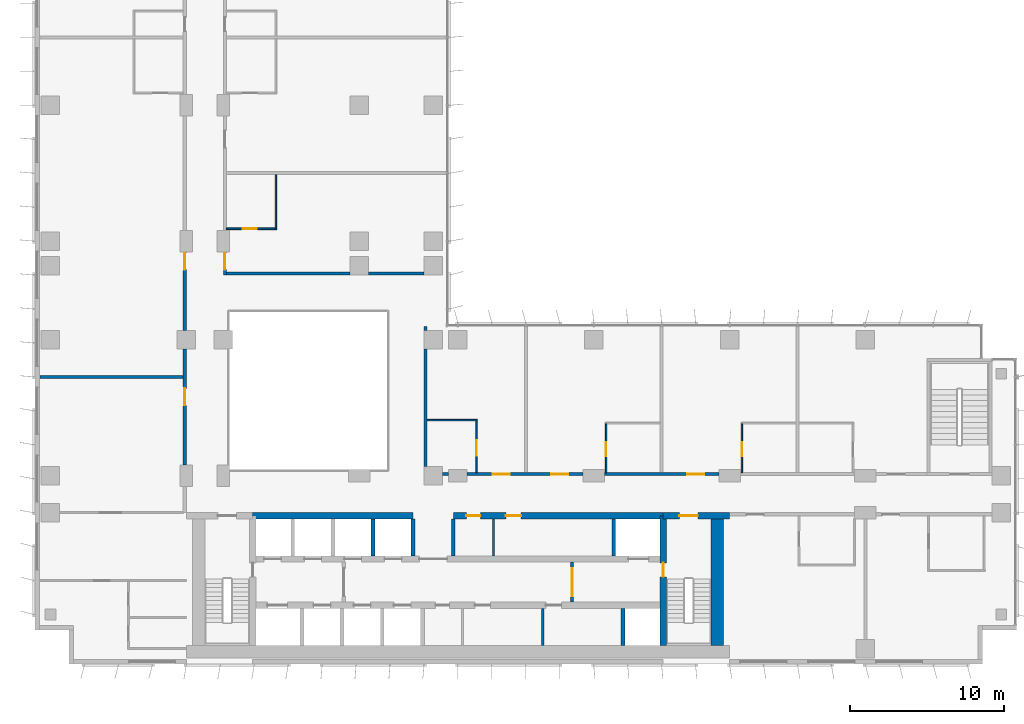
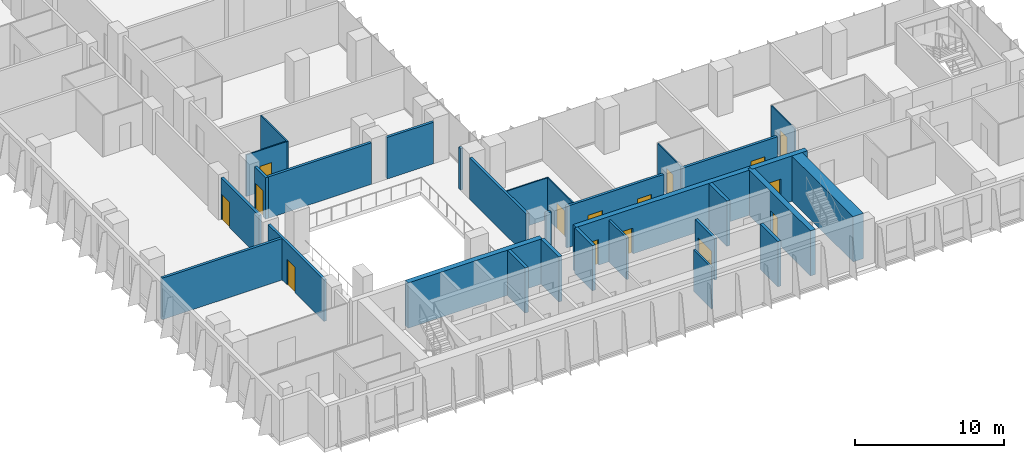
# One storey, part 13 of 22: 30 walls, 15 doors, 15 openings.
"""IFC4 building model written with IfcOpenShell, lengths in metres."""

from ifc_helpers import new_model, si_unit, direction, frame, frame_2d, origin, place, context, subcontext, project, spatial, rectangle, extrude, material, layer, layer_set, type_object, element, fill, save


model = new_model("IFC4")

# Units and contexts
model_context = context("Model", 3, precision=1e-05, world=origin(), true_north=direction((0.0, 1.0)))
body_context = subcontext(model_context, "Body", "Model", "MODEL_VIEW")
ifc_project = project(units=[si_unit("LENGTHUNIT", "METRE"), si_unit("AREAUNIT", "SQUARE_METRE"), si_unit("VOLUMEUNIT", "CUBIC_METRE"), si_unit("PLANEANGLEUNIT", "RADIAN"), si_unit("MASSUNIT", "GRAM", prefix="KILO")], contexts=[model_context])

# Site, building, storey
site_placement = place(None, origin())
site = spatial("IfcSite", under=ifc_project, at=site_placement, CompositionType="ELEMENT")
building_placement = place(site_placement, origin())
building = spatial("IfcBuilding", under=site, at=building_placement, Name="Kemantara Hotel Tower", CompositionType="ELEMENT")
storey_placement = place(building_placement, frame((0.0, 0.0, 122.199951171875)))
storey = spatial("IfcBuildingStorey", under=building, at=storey_placement, Name="L29", CompositionType="ELEMENT", Elevation=122.199951171875)

# Walls
ifc_material_1 = material(Name="Concrete fc 70 MPa", Category="concrete")
ifc_layer_1 = layer(ifc_material_1, 0.25)
ifc_layer_set_1 = layer_set([ifc_layer_1], Name="Concrete fc 70 MPa")
wall_type_1 = type_object("IfcWallType", Name="CORE WALL 250 FC70", PredefinedType="SHEAR", material=ifc_layer_set_1)
wall_1_placement = place(storey_placement, frame((38.10009765625, 1.199951171875, 0.0), z_axis=(0.0, 0.0, 1.0), x_axis=(0.0, 1.0, 0.0)))
element("IfcWall", 1, at=wall_1_placement, inside=storey, type_object=wall_type_1, Name="CORE WALL CW-DS38.1", PredefinedType="SHEAR", context=body_context, shape_type="SweptSolid", body=[
    extrude(rectangle(XDim=2.400146484375, YDim=0.25, at=frame_2d((1.2001953125, 0.0))), origin(), (0.0, 0.0, 1.0), 3.699951171875),
])
for number, where, z_axis, x_axis, name in (
    (2, (21.89990234375, 7.0, 0.0), (0.0, 0.0, 1.0), (0.0, 1.0, 0.0), "CORE WALL CW-DN21.9"),
    (3, (24.5, 7.0, 0.0), (0.0, 0.0, 1.0), (0.0, 1.0, 0.0), "CORE WALL CW-DN24.5"),
    (4, (27.10009765625, 7.0, 0.0), (0.0, 0.0, 1.0), (0.0, 1.0, 0.0), "CORE WALL CW-DN27.1"),
    (5, (37.5, 7.0, 0.0), (0.0, 0.0, 1.0), (0.0, 1.0, 0.0), "CORE WALL CW-DN37.5"),
):
    element("IfcWall", number, at=place(storey_placement, frame(where, z_axis=z_axis, x_axis=x_axis)), inside=storey, type_object=wall_type_1, Name=name, PredefinedType="SHEAR", context=body_context, shape_type="SweptSolid", body=[
        extrude(rectangle(XDim=2.39990234375, YDim=0.25, at=frame_2d((1.199951171875, 0.0))), origin(), (0.0, 0.0, 1.0), 3.699951171875),
    ])

# Wall, opening, door
ifc_layer_2 = layer(ifc_material_1, 0.39990234375)
ifc_layer_set_2 = layer_set([ifc_layer_2], Name="Concrete fc 70 MPa")
wall_type_2 = type_object("IfcWallType", Name="CORE WALL 400 FC70", PredefinedType="SHEAR", material=ifc_layer_set_2)
wall_2_placement = place(storey_placement, frame((40.699951171875, 9.60009765625, 0.0), z_axis=(0.0, 0.0, 1.0), x_axis=(1.0, 0.0, 0.0)))
wall_2 = element("IfcWall", 6, at=wall_2_placement, inside=storey, type_object=wall_type_2, Name="CORE WALL CW-N2", PredefinedType="SHEAR", context=body_context, shape_type="SweptSolid", body=[
    extrude(rectangle(XDim=4.300048828125, YDim=0.39990234375, at=frame_2d((2.14990234375, 0.0))), origin(), (0.0, 0.0, 1.0), 3.699951171875),
])
opening_1_placement = place(wall_2_placement, frame((1.050048828125, 0.0, 0.0)))
opening_1 = element("IfcOpeningElement", 7, at=opening_1_placement, cuts=wall_2, Name="Opening C20-ST2-C", PredefinedType="OPENING", context=body_context, shape_type="SweptSolid", body=[
    extrude(rectangle(XDim=1.199951171875, YDim=2.10009765625, at=frame_2d((0.60009765625, 1.050048828125))), frame((0.0, 0.2099609375, 0.0), z_axis=(0.0, -1.0, 0.0), x_axis=(1.0, 0.0, 0.0)), (0.0, 0.0, 1.0), 0.419921875),
])
ifc_material_2 = material(Name="Steel fire door", Category="steel")
door_type_1 = type_object("IfcDoorType", Name="Fire door FD90 1200 x 2100", OperationType="NOTDEFINED", PredefinedType="DOOR", material=ifc_material_2)
door_1_placement = place(opening_1_placement, frame((1.199951171875, 0.0, 0.0), z_axis=(0.0, 0.0, 1.0), x_axis=(-1.0, 0.0, 0.0)))
door_1 = element("IfcDoor", 8, at=door_1_placement, inside=storey, type_object=door_type_1, Name="Stair ST2 door to corridor", OperationType="SINGLE_SWING_RIGHT", OverallHeight=2.10009765625, OverallWidth=1.199951171875, PredefinedType="DOOR", context=body_context, shape_type="SweptSolid", body=[
    extrude(rectangle(XDim=1.199951171875, YDim=2.10009765625, at=frame_2d((0.60009765625, 1.050048828125))), frame((0.0, 0.02490234375, 0.0), z_axis=(0.0, -1.0, 0.0), x_axis=(1.0, 0.0, 0.0)), (0.0, 0.0, 1.0), 0.050048828125),
])
fill(opening_1, door_1)

# Wall
wall_3_placement = place(storey_placement, frame((14.10009765625, 9.60009765625, 0.0), z_axis=(0.0, 0.0, 1.0), x_axis=(1.0, 0.0, 0.0)))
element("IfcWall", 9, at=wall_3_placement, inside=storey, type_object=wall_type_2, Name="CORE WALL CW-NN1", PredefinedType="SHEAR", context=body_context, shape_type="SweptSolid", body=[
    extrude(rectangle(XDim=10.39990234375, YDim=0.39990234375, at=frame_2d((5.199951171875, 0.0))), origin(), (0.0, 0.0, 1.0), 3.699951171875),
])

# Wall, openings, doors
wall_4_placement = place(storey_placement, frame((27.10009765625, 9.60009765625, 0.0), z_axis=(0.0, 0.0, 1.0), x_axis=(1.0, 0.0, 0.0)))
wall_4 = element("IfcWall", 10, at=wall_4_placement, inside=storey, type_object=wall_type_2, Name="CORE WALL CW-NN2", PredefinedType="SHEAR", context=body_context, shape_type="SweptSolid", body=[
    extrude(rectangle(XDim=13.599853515625, YDim=0.39990234375, at=frame_2d((6.7998046875, 0.0))), origin(), (0.0, 0.0, 1.0), 3.699951171875),
])
opening_2_placement = place(wall_4_placement, frame((0.85009765625, 0.0, 0.0)))
opening_2 = element("IfcOpeningElement", 11, at=opening_2_placement, cuts=wall_4, Name="Opening C20-R-NE1", PredefinedType="OPENING", context=body_context, shape_type="SweptSolid", body=[
    extrude(rectangle(XDim=0.89990234375, YDim=2.10009765625, at=frame_2d((0.449951171875, 1.050048828125))), frame((0.0, 0.2099609375, 0.0), z_axis=(0.0, -1.0, 0.0), x_axis=(1.0, 0.0, 0.0)), (0.0, 0.0, 1.0), 0.419921875),
])
opening_3_placement = place(wall_4_placement, frame((3.39990234375, 0.0, 0.0)))
opening_3 = element("IfcOpeningElement", 12, at=opening_3_placement, cuts=wall_4, Name="Opening C20-R-NE2", PredefinedType="OPENING", context=body_context, shape_type="SweptSolid", body=[
    extrude(rectangle(XDim=1.0, YDim=2.10009765625, at=frame_2d((0.5, 1.050048828125))), frame((0.0, 0.2099609375, 0.0), z_axis=(0.0, -1.0, 0.0), x_axis=(1.0, 0.0, 0.0)), (0.0, 0.0, 1.0), 0.419921875),
])
door_type_2 = type_object("IfcDoorType", Name="Fire door FD30S 1000 x 2100", OperationType="NOTDEFINED", PredefinedType="DOOR", material=ifc_material_2)
door_2_placement = place(opening_3_placement, frame((1.0, 0.0, 0.0), z_axis=(0.0, 0.0, 1.0), x_axis=(-1.0, 0.0, 0.0)))
door_2 = element("IfcDoor", 13, at=door_2_placement, inside=storey, type_object=door_type_2, Name="Linen Store door", OperationType="SINGLE_SWING_RIGHT", OverallHeight=2.10009765625, OverallWidth=1.0, PredefinedType="DOOR", context=body_context, shape_type="SweptSolid", body=[
    extrude(rectangle(XDim=1.0, YDim=2.10009765625, at=frame_2d((0.5, 1.050048828125))), frame((0.0, 0.02490234375, 0.0), z_axis=(0.0, -1.0, 0.0), x_axis=(1.0, 0.0, 0.0)), (0.0, 0.0, 1.0), 0.050048828125),
])
fill(opening_3, door_2)
door_type_3 = type_object("IfcDoorType", Name="Fire door FD30S 900 x 2100", OperationType="NOTDEFINED", PredefinedType="DOOR", material=ifc_material_2)
door_3_placement = place(opening_2_placement, frame((0.89990234375, 0.0, 0.0), z_axis=(0.0, 0.0, 1.0), x_axis=(-1.0, 0.0, 0.0)))
door_3 = element("IfcDoor", 14, at=door_3_placement, inside=storey, type_object=door_type_3, Name="Staff Wc door", OperationType="SINGLE_SWING_RIGHT", OverallHeight=2.10009765625, OverallWidth=0.89990234375, PredefinedType="DOOR", context=body_context, shape_type="SweptSolid", body=[
    extrude(rectangle(XDim=0.89990234375, YDim=2.10009765625, at=frame_2d((0.449951171875, 1.050048828125))), frame((0.0, 0.02490234375, 0.0), z_axis=(0.0, -1.0, 0.0), x_axis=(1.0, 0.0, 0.0)), (0.0, 0.0, 1.0), 0.050048828125),
])
fill(opening_2, door_3)

# Wall, opening, door
wall_5_placement = place(storey_placement, frame((40.699951171875, 1.199951171875, 0.0), z_axis=(0.0, 0.0, 1.0), x_axis=(0.0, 1.0, 0.0)))
wall_5 = element("IfcWall", 15, at=wall_5_placement, inside=storey, type_object=wall_type_2, Name="CORE WALL CW-ST2W", PredefinedType="SHEAR", context=body_context, shape_type="SweptSolid", body=[
    extrude(rectangle(XDim=8.400146484375, YDim=0.39990234375, at=frame_2d((4.2001953125, 0.0))), origin(), (0.0, 0.0, 1.0), 3.699951171875),
])
opening_4_placement = place(wall_5_placement, frame((4.449951171875, 0.0, 0.0)))
opening_4 = element("IfcOpeningElement", 16, at=opening_4_placement, cuts=wall_5, Name="Opening C20-ST2-F", PredefinedType="OPENING", context=body_context, shape_type="SweptSolid", body=[
    extrude(rectangle(XDim=0.89990234375, YDim=2.10009765625, at=frame_2d((0.449951171875, 1.050048828125))), frame((0.0, 0.2099609375, 0.0), z_axis=(0.0, -1.0, 0.0), x_axis=(1.0, 0.0, 0.0)), (0.0, 0.0, 1.0), 0.419921875),
])
door_type_4 = type_object("IfcDoorType", Name="Fire door FD90 900 x 2100", OperationType="NOTDEFINED", PredefinedType="DOOR", material=ifc_material_2)
door_4_placement = place(opening_4_placement, frame((0.89990234375, 0.0, 0.0), z_axis=(0.0, 0.0, 1.0), x_axis=(-1.0, 0.0, 0.0)))
door_4 = element("IfcDoor", 17, at=door_4_placement, inside=storey, type_object=door_type_4, Name="Stair ST2 door to firefighting lobby", OperationType="SINGLE_SWING_LEFT", OverallHeight=2.10009765625, OverallWidth=0.89990234375, PredefinedType="DOOR", context=body_context, shape_type="SweptSolid", body=[
    extrude(rectangle(XDim=0.89990234375, YDim=2.10009765625, at=frame_2d((0.449951171875, 1.050048828125))), frame((0.0, 0.02490234375, 0.0), z_axis=(0.0, -1.0, 0.0), x_axis=(1.0, 0.0, 0.0)), (0.0, 0.0, 1.0), 0.050048828125),
])
fill(opening_4, door_4)

# Walls
ifc_layer_3 = layer(ifc_material_1, 0.800048828125)
ifc_layer_set_3 = layer_set([ifc_layer_3], Name="Concrete fc 70 MPa")
wall_type_3 = type_object("IfcWallType", Name="CORE WALL 800 FC70", PredefinedType="SHEAR", material=ifc_layer_set_3)
wall_6_placement = place(storey_placement, frame((44.199951171875, 1.199951171875, 0.0), z_axis=(0.0, 0.0, 1.0), x_axis=(0.0, 1.0, 0.0)))
element("IfcWall", 18, at=wall_6_placement, inside=storey, type_object=wall_type_3, Name="CORE WALL CW-E", PredefinedType="SHEAR", context=body_context, shape_type="SweptSolid", body=[
    extrude(rectangle(XDim=8.60009765625, YDim=0.800048828125, at=frame_2d((4.300048828125, 0.0))), origin(), (0.0, 0.0, 1.0), 3.699951171875),
])
ifc_material_3 = material(Name="Gypsum board partition, steel studs and mineral wool, 200 mm", Category="steel")
ifc_layer_4 = layer(ifc_material_3, 0.199951171875)
ifc_layer_set_4 = layer_set([ifc_layer_4], Name="Gypsum board partition, steel studs and mineral wool, 200 mm")
wall_type_4 = type_object("IfcWallType", Name="CORRIDOR WALL 200", PredefinedType="PARTITIONING", material=ifc_layer_set_4)
wall_7_placement = place(storey_placement, frame((26.400146484375, 12.300048828125, 0.0), z_axis=(0.0, 0.0, 1.0), x_axis=(1.0, 0.0, 0.0)))
element("IfcWall", 19, at=wall_7_placement, inside=storey, type_object=wall_type_4, Name="CORRIDOR WALL 200 004", PredefinedType="PARTITIONING", context=body_context, shape_type="SweptSolid", body=[
    extrude(rectangle(XDim=0.399658203125, YDim=0.199951171875, at=frame_2d((0.19970703125, 0.0))), origin(), (0.0, 0.0, 1.0), 3.400146484375),
])

# Wall, openings, doors
wall_8_placement = place(storey_placement, frame((28.0, 12.300048828125, 0.0), z_axis=(0.0, 0.0, 1.0), x_axis=(1.0, 0.0, 0.0)))
wall_8 = element("IfcWall", 20, at=wall_8_placement, inside=storey, type_object=wall_type_4, Name="CORRIDOR WALL 200 005", PredefinedType="PARTITIONING", context=body_context, shape_type="SweptSolid", body=[
    extrude(rectangle(XDim=7.5, YDim=0.199951171875, at=frame_2d((3.75, 0.0))), origin(), (0.0, 0.0, 1.0), 3.400146484375),
])
opening_5_placement = place(wall_8_placement, frame((1.64990234375, 0.0, 0.0)))
opening_5 = element("IfcOpeningElement", 21, at=opening_5_placement, cuts=wall_8, Name="Opening F13-005", PredefinedType="OPENING", context=body_context, shape_type="SweptSolid", body=[
    extrude(rectangle(XDim=1.10009765625, YDim=2.10009765625, at=frame_2d((0.550048828125, 1.050048828125))), frame((0.0, 0.10986328125, 0.0), z_axis=(0.0, -1.0, 0.0), x_axis=(1.0, 0.0, 0.0)), (0.0, 0.0, 1.0), 0.219970703125),
])
opening_6_placement = place(wall_8_placement, frame((5.449951171875, 0.0, 0.0)))
opening_6 = element("IfcOpeningElement", 22, at=opening_6_placement, cuts=wall_8, Name="Opening F13-007", PredefinedType="OPENING", context=body_context, shape_type="SweptSolid", body=[
    extrude(rectangle(XDim=1.10009765625, YDim=2.10009765625, at=frame_2d((0.550048828125, 1.050048828125))), frame((0.0, 0.10986328125, 0.0), z_axis=(0.0, -1.0, 0.0), x_axis=(1.0, 0.0, 0.0)), (0.0, 0.0, 1.0), 0.219970703125),
])
ifc_material_4 = material(Name="Hardwood veneer door leaf with steel frame", Category="steel")
door_type_5 = type_object("IfcDoorType", Name="GUEST ROOM DOOR 1100 X 2100 FD30S", OperationType="NOTDEFINED", PredefinedType="DOOR", material=ifc_material_4)
door_5_placement = place(opening_5_placement, origin())
door_5 = element("IfcDoor", 23, at=door_5_placement, inside=storey, type_object=door_type_5, Name="GUEST ROOM DOOR F13-005", OperationType="SINGLE_SWING_RIGHT", OverallHeight=2.10009765625, OverallWidth=1.10009765625, PredefinedType="DOOR", context=body_context, shape_type="SweptSolid", body=[
    extrude(rectangle(XDim=1.10009765625, YDim=2.10009765625, at=frame_2d((0.550048828125, 1.050048828125))), frame((0.0, 0.02490234375, 0.0), z_axis=(0.0, -1.0, 0.0), x_axis=(1.0, 0.0, 0.0)), (0.0, 0.0, 1.0), 0.050048828125),
])
fill(opening_5, door_5)
door_type_6 = type_object("IfcDoorType", Name="SUITE ENTRANCE DOOR 1100 X 2100 FD30S", OperationType="NOTDEFINED", PredefinedType="DOOR", material=ifc_material_4)
door_6_placement = place(opening_6_placement, origin())
door_6 = element("IfcDoor", 24, at=door_6_placement, inside=storey, type_object=door_type_6, Name="SUITE ENTRANCE DOOR F13-007", OperationType="SINGLE_SWING_LEFT", OverallHeight=2.10009765625, OverallWidth=1.10009765625, PredefinedType="DOOR", context=body_context, shape_type="SweptSolid", body=[
    extrude(rectangle(XDim=1.10009765625, YDim=2.10009765625, at=frame_2d((0.550048828125, 1.050048828125))), frame((0.0, 0.02490234375, 0.0), z_axis=(0.0, -1.0, 0.0), x_axis=(1.0, 0.0, 0.0)), (0.0, 0.0, 1.0), 0.050048828125),
])
fill(opening_6, door_6)

# Wall, opening, door
wall_9_placement = place(storey_placement, frame((36.900146484375, 12.300048828125, 0.0), z_axis=(0.0, 0.0, 1.0), x_axis=(1.0, 0.0, 0.0)))
wall_9 = element("IfcWall", 25, at=wall_9_placement, inside=storey, type_object=wall_type_4, Name="CORRIDOR WALL 200 006", PredefinedType="PARTITIONING", context=body_context, shape_type="SweptSolid", body=[
    extrude(rectangle(XDim=7.399658203125, YDim=0.199951171875, at=frame_2d((3.69970703125, 0.0))), origin(), (0.0, 0.0, 1.0), 3.400146484375),
])
opening_7_placement = place(wall_9_placement, frame((5.349853515625, 0.0, 0.0)))
opening_7 = element("IfcOpeningElement", 26, at=opening_7_placement, cuts=wall_9, Name="Opening F13-009", PredefinedType="OPENING", context=body_context, shape_type="SweptSolid", body=[
    extrude(rectangle(XDim=1.10009765625, YDim=2.10009765625, at=frame_2d((0.550048828125, 1.050048828125))), frame((0.0, 0.10986328125, 0.0), z_axis=(0.0, -1.0, 0.0), x_axis=(1.0, 0.0, 0.0)), (0.0, 0.0, 1.0), 0.219970703125),
])
door_7_placement = place(opening_7_placement, origin())
door_7 = element("IfcDoor", 27, at=door_7_placement, inside=storey, type_object=door_type_6, Name="SUITE ENTRANCE DOOR F13-009", OperationType="SINGLE_SWING_LEFT", OverallHeight=2.10009765625, OverallWidth=1.10009765625, PredefinedType="DOOR", context=body_context, shape_type="SweptSolid", body=[
    extrude(rectangle(XDim=1.10009765625, YDim=2.10009765625, at=frame_2d((0.550048828125, 1.050048828125))), frame((0.0, 0.02490234375, 0.0), z_axis=(0.0, -1.0, 0.0), x_axis=(1.0, 0.0, 0.0)), (0.0, 0.0, 1.0), 0.050048828125),
])
fill(opening_7, door_7)

wall_10_placement = place(storey_placement, frame((9.699951171875, 12.900146484375, 0.0), z_axis=(0.0, 0.0, 1.0), x_axis=(0.0, 1.0, 0.0)))
wall_10 = element("IfcWall", 28, at=wall_10_placement, inside=storey, type_object=wall_type_4, Name="CORRIDOR WALL 200 015", PredefinedType="PARTITIONING", context=body_context, shape_type="SweptSolid", body=[
    extrude(rectangle(XDim=7.499755859375, YDim=0.199951171875, at=frame_2d((3.75, 0.0))), origin(), (0.0, 0.0, 1.0), 3.400146484375),
])
opening_8_placement = place(wall_10_placement, frame((3.849853515625, 0.0, 0.0)))
opening_8 = element("IfcOpeningElement", 29, at=opening_8_placement, cuts=wall_10, Name="Opening F13-013", PredefinedType="OPENING", context=body_context, shape_type="SweptSolid", body=[
    extrude(rectangle(XDim=1.10009765625, YDim=2.10009765625, at=frame_2d((0.550048828125, 1.050048828125))), frame((0.0, 0.10986328125, 0.0), z_axis=(0.0, -1.0, 0.0), x_axis=(1.0, 0.0, 0.0)), (0.0, 0.0, 1.0), 0.219970703125),
])
door_8_placement = place(opening_8_placement, origin())
door_8 = element("IfcDoor", 30, at=door_8_placement, inside=storey, type_object=door_type_6, Name="SUITE ENTRANCE DOOR F13-013", OperationType="SINGLE_SWING_RIGHT", OverallHeight=2.10009765625, OverallWidth=1.10009765625, PredefinedType="DOOR", context=body_context, shape_type="SweptSolid", body=[
    extrude(rectangle(XDim=1.10009765625, YDim=2.10009765625, at=frame_2d((0.550048828125, 1.050048828125))), frame((0.0, 0.02490234375, 0.0), z_axis=(0.0, -1.0, 0.0), x_axis=(1.0, 0.0, 0.0)), (0.0, 0.0, 1.0), 0.050048828125),
])
fill(opening_8, door_8)

wall_11_placement = place(storey_placement, frame((9.699951171875, 21.60009765625, 0.0), z_axis=(0.0, 0.0, 1.0), x_axis=(0.0, 1.0, 0.0)))
wall_11 = element("IfcWall", 31, at=wall_11_placement, inside=storey, type_object=wall_type_4, Name="CORRIDOR WALL 200 016", PredefinedType="PARTITIONING", context=body_context, shape_type="SweptSolid", body=[
    extrude(rectangle(XDim=5.099853515625, YDim=0.199951171875, at=frame_2d((2.5498046875, 0.0))), origin(), (0.0, 0.0, 1.0), 3.400146484375),
])
opening_9_placement = place(wall_11_placement, frame((3.949951171875, 0.0, 0.0)))
opening_9 = element("IfcOpeningElement", 32, at=opening_9_placement, cuts=wall_11, Name="Opening F13-018", PredefinedType="OPENING", context=body_context, shape_type="SweptSolid", body=[
    extrude(rectangle(XDim=1.10009765625, YDim=2.10009765625, at=frame_2d((0.550048828125, 1.050048828125))), frame((0.0, 0.10986328125, 0.0), z_axis=(0.0, -1.0, 0.0), x_axis=(1.0, 0.0, 0.0)), (0.0, 0.0, 1.0), 0.219970703125),
])
door_9_placement = place(opening_9_placement, origin())
door_9 = element("IfcDoor", 33, at=door_9_placement, inside=storey, type_object=door_type_6, Name="SUITE ENTRANCE DOOR F13-018", OperationType="SINGLE_SWING_LEFT", OverallHeight=2.10009765625, OverallWidth=1.10009765625, PredefinedType="DOOR", context=body_context, shape_type="SweptSolid", body=[
    extrude(rectangle(XDim=1.10009765625, YDim=2.10009765625, at=frame_2d((0.550048828125, 1.050048828125))), frame((0.0, 0.02490234375, 0.0), z_axis=(0.0, -1.0, 0.0), x_axis=(1.0, 0.0, 0.0)), (0.0, 0.0, 1.0), 0.050048828125),
])
fill(opening_9, door_9)

wall_12_placement = place(storey_placement, frame((12.300048828125, 26.699951171875, 0.0), z_axis=(0.0, 0.0, 1.0), x_axis=(0.0, -1.0, 0.0)))
wall_12 = element("IfcWall", 34, at=wall_12_placement, inside=storey, type_object=wall_type_4, Name="CORRIDOR WALL 200 029", PredefinedType="PARTITIONING", context=body_context, shape_type="SweptSolid", body=[
    extrude(rectangle(XDim=1.5, YDim=0.199951171875, at=frame_2d((0.75, 0.0))), origin(), (0.0, 0.0, 1.0), 3.400146484375),
])
opening_10_placement = place(wall_12_placement, frame((0.0498046875, 0.0, 0.0)))
opening_10 = element("IfcOpeningElement", 35, at=opening_10_placement, cuts=wall_12, Name="Opening F13-030", PredefinedType="OPENING", context=body_context, shape_type="SweptSolid", body=[
    extrude(rectangle(XDim=1.10009765625, YDim=2.10009765625, at=frame_2d((0.550048828125, 1.050048828125))), frame((0.0, 0.10986328125, 0.0), z_axis=(0.0, -1.0, 0.0), x_axis=(1.0, 0.0, 0.0)), (0.0, 0.0, 1.0), 0.219970703125),
])
door_10_placement = place(opening_10_placement, origin())
door_10 = element("IfcDoor", 36, at=door_10_placement, inside=storey, type_object=door_type_6, Name="SUITE ENTRANCE DOOR F13-030", OperationType="SINGLE_SWING_RIGHT", OverallHeight=2.10009765625, OverallWidth=1.10009765625, PredefinedType="DOOR", context=body_context, shape_type="SweptSolid", body=[
    extrude(rectangle(XDim=1.10009765625, YDim=2.10009765625, at=frame_2d((0.550048828125, 1.050048828125))), frame((0.0, 0.02490234375, 0.0), z_axis=(0.0, -1.0, 0.0), x_axis=(1.0, 0.0, 0.0)), (0.0, 0.0, 1.0), 0.050048828125),
])
fill(opening_10, door_10)

# Walls
ifc_layer_5 = layer(ifc_material_3, 0.199951171875)
ifc_layer_set_5 = layer_set([ifc_layer_5], Name="Gypsum board partition, steel studs and mineral wool, 200 mm")
wall_type_5 = type_object("IfcWallType", Name="GUEST ROOM PARTY WALL 200", PredefinedType="PARTITIONING", material=ifc_layer_set_5)
wall_13_placement = place(storey_placement, frame((25.300048828125, 12.800048828125, 0.0), z_axis=(0.0, 0.0, 1.0), x_axis=(0.0, 1.0, 0.0)))
element("IfcWall", 37, at=wall_13_placement, inside=storey, type_object=wall_type_5, Name="GUEST ROOM PARTY WALL 200 009", PredefinedType="PARTITIONING", context=body_context, shape_type="SweptSolid", body=[
    extrude(rectangle(XDim=7.599853515625, YDim=0.199951171875, at=frame_2d((3.7998046875, 0.0))), origin(), (0.0, 0.0, 1.0), 3.400146484375),
])
wall_14_placement = place(storey_placement, frame((25.300048828125, 21.60009765625, 0.0), z_axis=(0.0, 0.0, 1.0), x_axis=(0.0, 1.0, 0.0)))
element("IfcWall", 38, at=wall_14_placement, inside=storey, type_object=wall_type_5, Name="GUEST ROOM PARTY WALL 200 010", PredefinedType="PARTITIONING", context=body_context, shape_type="SweptSolid", body=[
    extrude(rectangle(XDim=0.27001953125, YDim=0.199951171875, at=frame_2d((0.135009765625, 0.0))), origin(), (0.0, 0.0, 1.0), 3.400146484375),
])
wall_15_placement = place(storey_placement, frame((0.31005859375, 18.60009765625, 0.0), z_axis=(0.0, 0.0, 1.0), x_axis=(1.0, 0.0, 0.0)))
element("IfcWall", 39, at=wall_15_placement, inside=storey, type_object=wall_type_5, Name="GUEST ROOM PARTY WALL 200 023", PredefinedType="PARTITIONING", context=body_context, shape_type="SweptSolid", body=[
    extrude(rectangle(XDim=9.2900390625, YDim=0.199951171875, at=frame_2d((4.64501953125, 0.0))), origin(), (0.0, 0.0, 1.0), 3.400146484375),
])
wall_16_placement = place(storey_placement, frame((12.39990234375, 25.300048828125, 0.0), z_axis=(0.0, 0.0, 1.0), x_axis=(1.0, 0.0, 0.0)))
element("IfcWall", 40, at=wall_16_placement, inside=storey, type_object=wall_type_5, Name="GUEST ROOM PARTY WALL 200 036", PredefinedType="PARTITIONING", context=body_context, shape_type="SweptSolid", body=[
    extrude(rectangle(XDim=8.0, YDim=0.199951171875, at=frame_2d((4.0, 0.0))), origin(), (0.0, 0.0, 1.0), 3.400146484375),
])
wall_17_placement = place(storey_placement, frame((21.60009765625, 25.300048828125, 0.0), z_axis=(0.0, 0.0, 1.0), x_axis=(1.0, 0.0, 0.0)))
element("IfcWall", 41, at=wall_17_placement, inside=storey, type_object=wall_type_5, Name="GUEST ROOM PARTY WALL 200 037", PredefinedType="PARTITIONING", context=body_context, shape_type="SweptSolid", body=[
    extrude(rectangle(XDim=3.599853515625, YDim=0.199951171875, at=frame_2d((1.7998046875, 0.0))), origin(), (0.0, 0.0, 1.0), 3.400146484375),
])
ifc_material_5 = material(Name="Gypsum board partition")
ifc_layer_6 = layer(ifc_material_5, 0.14990234375)
ifc_layer_set_6 = layer_set([ifc_layer_6], Name="Gypsum board partition")
wall_type_6 = type_object("IfcWallType", Name="Gypsum board partition 150 mm", PredefinedType="PARTITIONING", material=ifc_layer_set_6)
wall_18_placement = place(storey_placement, frame((29.699951171875, 7.0, 0.0), z_axis=(0.0, 0.0, 1.0), x_axis=(0.0, 1.0, 0.0)))
element("IfcWall", 42, at=wall_18_placement, inside=storey, type_object=wall_type_6, Name="Core room partition", PredefinedType="PARTITIONING", context=body_context, shape_type="SweptSolid", body=[
    extrude(rectangle(XDim=2.39990234375, YDim=0.14990234375, at=frame_2d((1.199951171875, 0.0))), origin(), (0.0, 0.0, 1.0), 3.400146484375),
])
wall_19_placement = place(storey_placement, frame((32.89990234375, 1.199951171875, 0.0), z_axis=(0.0, 0.0, 1.0), x_axis=(0.0, 1.0, 0.0)))
element("IfcWall", 43, at=wall_19_placement, inside=storey, type_object=wall_type_6, Name="Core room partition", PredefinedType="PARTITIONING", context=body_context, shape_type="SweptSolid", body=[
    extrude(rectangle(XDim=2.400146484375, YDim=0.14990234375, at=frame_2d((1.2001953125, 0.0))), origin(), (0.0, 0.0, 1.0), 3.400146484375),
])

# Wall, opening, door
ifc_material_6 = material(Name="Gypsum board shaft wall")
ifc_layer_7 = layer(ifc_material_6, 0.199951171875)
ifc_layer_set_7 = layer_set([ifc_layer_7], Name="Gypsum board shaft wall")
wall_type_7 = type_object("IfcWallType", Name="Gypsum board shaft wall 200 mm", PredefinedType="PARTITIONING", material=ifc_layer_set_7)
wall_20_placement = place(storey_placement, frame((34.800048828125, 4.0, 0.0), z_axis=(0.0, 0.0, 1.0), x_axis=(0.0, 1.0, 0.0)))
wall_20 = element("IfcWall", 44, at=wall_20_placement, inside=storey, type_object=wall_type_7, Name="Firefighting lobby partition east", PredefinedType="PARTITIONING", context=body_context, shape_type="SweptSolid", body=[
    extrude(rectangle(XDim=2.60009765625, YDim=0.199951171875, at=frame_2d((1.300048828125, 0.0))), origin(), (0.0, 0.0, 1.0), 3.400146484375),
])
opening_11_placement = place(wall_20_placement, frame((0.39990234375, 0.0, 0.0)))
opening_11 = element("IfcOpeningElement", 45, at=opening_11_placement, cuts=wall_20, Name="Opening C20-FFE", PredefinedType="OPENING", context=body_context, shape_type="SweptSolid", body=[
    extrude(rectangle(XDim=1.800048828125, YDim=2.10009765625, at=frame_2d((0.89990234375, 1.050048828125))), frame((0.0, 0.10986328125, 0.0), z_axis=(0.0, -1.0, 0.0), x_axis=(1.0, 0.0, 0.0)), (0.0, 0.0, 1.0), 0.219970703125),
])
door_type_7 = type_object("IfcDoorType", Name="Fire door pair FD60 1800 x 2100", OperationType="DOUBLE_DOOR_SINGLE_SWING", PredefinedType="DOOR", material=ifc_material_2)
door_11_placement = place(opening_11_placement, frame((1.800048828125, 0.0, 0.0), z_axis=(0.0, 0.0, 1.0), x_axis=(-1.0, 0.0, 0.0)))
door_11 = element("IfcDoor", 46, at=door_11_placement, inside=storey, type_object=door_type_7, Name="Firefighting lobby door east", OperationType="DOUBLE_DOOR_SINGLE_SWING", OverallHeight=2.10009765625, OverallWidth=1.800048828125, PredefinedType="DOOR", context=body_context, shape_type="SweptSolid", body=[
    extrude(rectangle(XDim=1.800048828125, YDim=2.10009765625, at=frame_2d((0.89990234375, 1.050048828125))), frame((0.0, 0.02490234375, 0.0), z_axis=(0.0, -1.0, 0.0), x_axis=(1.0, 0.0, 0.0)), (0.0, 0.0, 1.0), 0.050048828125),
])
fill(opening_11, door_11)

# Wall
ifc_material_7 = material(Name="Gypsum board partition on steel studs, 100 mm", Category="steel")
ifc_layer_8 = layer(ifc_material_7, 0.10009765625)
ifc_layer_set_8 = layer_set([ifc_layer_8], Name="Gypsum board partition on steel studs, 100 mm")
wall_type_8 = type_object("IfcWallType", Name="ROOM PARTITION 100", PredefinedType="PARTITIONING", material=ifc_layer_set_8)
wall_21_placement = place(storey_placement, frame((25.39990234375, 15.800048828125, 0.0), z_axis=(0.0, 0.0, 1.0), x_axis=(1.0, 0.0, 0.0)))
element("IfcWall", 47, at=wall_21_placement, inside=storey, type_object=wall_type_8, Name="ROOM PARTITION 100 047", PredefinedType="PARTITIONING", context=body_context, shape_type="SweptSolid", body=[
    extrude(rectangle(XDim=3.25, YDim=0.10009765625, at=frame_2d((1.625, 0.0))), origin(), (0.0, 0.0, 1.0), 3.400146484375),
])

# Wall, opening, door
wall_22_placement = place(storey_placement, frame((28.60009765625, 12.39990234375, 0.0), z_axis=(0.0, 0.0, 1.0), x_axis=(0.0, 1.0, 0.0)))
wall_22 = element("IfcWall", 48, at=wall_22_placement, inside=storey, type_object=wall_type_8, Name="ROOM PARTITION 100 048", PredefinedType="PARTITIONING", context=body_context, shape_type="SweptSolid", body=[
    extrude(rectangle(XDim=3.35009765625, YDim=0.10009765625, at=frame_2d((1.675048828125, 0.0))), origin(), (0.0, 0.0, 1.0), 3.400146484375),
])
opening_12_placement = place(wall_22_placement, frame((1.10009765625, 0.0, 0.0)))
opening_12 = element("IfcOpeningElement", 49, at=opening_12_placement, cuts=wall_22, Name="Opening F13-006", PredefinedType="OPENING", context=body_context, shape_type="SweptSolid", body=[
    extrude(rectangle(XDim=1.0, YDim=2.10009765625, at=frame_2d((0.5, 1.050048828125))), frame((0.0, 0.06005859375, 0.0), z_axis=(0.0, -1.0, 0.0), x_axis=(1.0, 0.0, 0.0)), (0.0, 0.0, 1.0), 0.1201171875),
])
door_type_8 = type_object("IfcDoorType", Name="BATHROOM DOOR 1000 X 2100", OperationType="NOTDEFINED", PredefinedType="DOOR", material=ifc_material_4)
door_12_placement = place(opening_12_placement, origin())
door_12 = element("IfcDoor", 50, at=door_12_placement, inside=storey, type_object=door_type_8, Name="BATHROOM DOOR F13-006", OperationType="SINGLE_SWING_LEFT", OverallHeight=2.10009765625, OverallWidth=1.0, PredefinedType="DOOR", context=body_context, shape_type="SweptSolid", body=[
    extrude(rectangle(XDim=1.0, YDim=2.10009765625, at=frame_2d((0.5, 1.050048828125))), frame((0.0, 0.02490234375, 0.0), z_axis=(0.0, -1.0, 0.0), x_axis=(1.0, 0.0, 0.0)), (0.0, 0.0, 1.0), 0.050048828125),
])
fill(opening_12, door_12)

wall_23_placement = place(storey_placement, frame((37.0, 15.550048828125, 0.0), z_axis=(0.0, 0.0, 1.0), x_axis=(0.0, -1.0, 0.0)))
wall_23 = element("IfcWall", 51, at=wall_23_placement, inside=storey, type_object=wall_type_8, Name="ROOM PARTITION 100 052", PredefinedType="PARTITIONING", context=body_context, shape_type="SweptSolid", body=[
    extrude(rectangle(XDim=3.150146484375, YDim=0.10009765625, at=frame_2d((1.5751953125, 0.0))), origin(), (0.0, 0.0, 1.0), 3.400146484375),
])
opening_13_placement = place(wall_23_placement, frame((1.199951171875, 0.0, 0.0)))
opening_13 = element("IfcOpeningElement", 52, at=opening_13_placement, cuts=wall_23, Name="Opening F13-008", PredefinedType="OPENING", context=body_context, shape_type="SweptSolid", body=[
    extrude(rectangle(XDim=0.89990234375, YDim=2.10009765625, at=frame_2d((0.449951171875, 1.050048828125))), frame((0.0, 0.06005859375, 0.0), z_axis=(0.0, -1.0, 0.0), x_axis=(1.0, 0.0, 0.0)), (0.0, 0.0, 1.0), 0.1201171875),
])
door_type_9 = type_object("IfcDoorType", Name="BATHROOM DOOR 900 X 2100", OperationType="NOTDEFINED", PredefinedType="DOOR", material=ifc_material_4)
door_13_placement = place(opening_13_placement, origin())
door_13 = element("IfcDoor", 53, at=door_13_placement, inside=storey, type_object=door_type_9, Name="BATHROOM DOOR F13-008", OperationType="SINGLE_SWING_RIGHT", OverallHeight=2.10009765625, OverallWidth=0.89990234375, PredefinedType="DOOR", context=body_context, shape_type="SweptSolid", body=[
    extrude(rectangle(XDim=0.89990234375, YDim=2.10009765625, at=frame_2d((0.449951171875, 1.050048828125))), frame((0.0, 0.02490234375, 0.0), z_axis=(0.0, -1.0, 0.0), x_axis=(1.0, 0.0, 0.0)), (0.0, 0.0, 1.0), 0.050048828125),
])
fill(opening_13, door_13)

wall_24_placement = place(storey_placement, frame((45.800048828125, 15.550048828125, 0.0), z_axis=(0.0, 0.0, 1.0), x_axis=(0.0, -1.0, 0.0)))
wall_24 = element("IfcWall", 54, at=wall_24_placement, inside=storey, type_object=wall_type_8, Name="ROOM PARTITION 100 053", PredefinedType="PARTITIONING", context=body_context, shape_type="SweptSolid", body=[
    extrude(rectangle(XDim=3.150146484375, YDim=0.10009765625, at=frame_2d((1.5751953125, 0.0))), origin(), (0.0, 0.0, 1.0), 3.400146484375),
])
opening_14_placement = place(wall_24_placement, frame((1.199951171875, 0.0, 0.0)))
opening_14 = element("IfcOpeningElement", 55, at=opening_14_placement, cuts=wall_24, Name="Opening F13-010", PredefinedType="OPENING", context=body_context, shape_type="SweptSolid", body=[
    extrude(rectangle(XDim=0.89990234375, YDim=2.10009765625, at=frame_2d((0.449951171875, 1.050048828125))), frame((0.0, 0.06005859375, 0.0), z_axis=(0.0, -1.0, 0.0), x_axis=(1.0, 0.0, 0.0)), (0.0, 0.0, 1.0), 0.1201171875),
])
door_14_placement = place(opening_14_placement, origin())
door_14 = element("IfcDoor", 56, at=door_14_placement, inside=storey, type_object=door_type_9, Name="BATHROOM DOOR F13-010", OperationType="SINGLE_SWING_RIGHT", OverallHeight=2.10009765625, OverallWidth=0.89990234375, PredefinedType="DOOR", context=body_context, shape_type="SweptSolid", body=[
    extrude(rectangle(XDim=0.89990234375, YDim=2.10009765625, at=frame_2d((0.449951171875, 1.050048828125))), frame((0.0, 0.02490234375, 0.0), z_axis=(0.0, -1.0, 0.0), x_axis=(1.0, 0.0, 0.0)), (0.0, 0.0, 1.0), 0.050048828125),
])
fill(opening_14, door_14)

# Wall
wall_25_placement = place(storey_placement, frame((15.60009765625, 28.14990234375, 0.0), z_axis=(0.0, 0.0, 1.0), x_axis=(0.0, 1.0, 0.0)))
element("IfcWall", 57, at=wall_25_placement, inside=storey, type_object=wall_type_8, Name="ROOM PARTITION 100 074", PredefinedType="PARTITIONING", context=body_context, shape_type="SweptSolid", body=[
    extrude(rectangle(XDim=3.550048828125, YDim=0.10009765625, at=frame_2d((1.77490234375, 0.0))), origin(), (0.0, 0.0, 1.0), 3.400146484375),
])

# Wall, opening, door
wall_26_placement = place(storey_placement, frame((12.39990234375, 28.199951171875, 0.0), z_axis=(0.0, 0.0, 1.0), x_axis=(1.0, 0.0, 0.0)))
wall_26 = element("IfcWall", 58, at=wall_26_placement, inside=storey, type_object=wall_type_8, Name="ROOM PARTITION 100 079", PredefinedType="PARTITIONING", context=body_context, shape_type="SweptSolid", body=[
    extrude(rectangle(XDim=3.150146484375, YDim=0.10009765625, at=frame_2d((1.5751953125, 0.0))), origin(), (0.0, 0.0, 1.0), 3.400146484375),
])
opening_15_placement = place(wall_26_placement, frame((1.050048828125, 0.0, 0.0)))
opening_15 = element("IfcOpeningElement", 59, at=opening_15_placement, cuts=wall_26, Name="Opening F13-031", PredefinedType="OPENING", context=body_context, shape_type="SweptSolid", body=[
    extrude(rectangle(XDim=0.89990234375, YDim=2.10009765625, at=frame_2d((0.449951171875, 1.050048828125))), frame((0.0, 0.06005859375, 0.0), z_axis=(0.0, -1.0, 0.0), x_axis=(1.0, 0.0, 0.0)), (0.0, 0.0, 1.0), 0.1201171875),
])
door_15_placement = place(opening_15_placement, origin())
door_15 = element("IfcDoor", 60, at=door_15_placement, inside=storey, type_object=door_type_9, Name="BATHROOM DOOR F13-031", OperationType="SINGLE_SWING_LEFT", OverallHeight=2.10009765625, OverallWidth=0.89990234375, PredefinedType="DOOR", context=body_context, shape_type="SweptSolid", body=[
    extrude(rectangle(XDim=0.89990234375, YDim=2.10009765625, at=frame_2d((0.449951171875, 1.050048828125))), frame((0.0, 0.02490234375, 0.0), z_axis=(0.0, -1.0, 0.0), x_axis=(1.0, 0.0, 0.0)), (0.0, 0.0, 1.0), 0.050048828125),
])
fill(opening_15, door_15)

save(model, "model.ifc")
